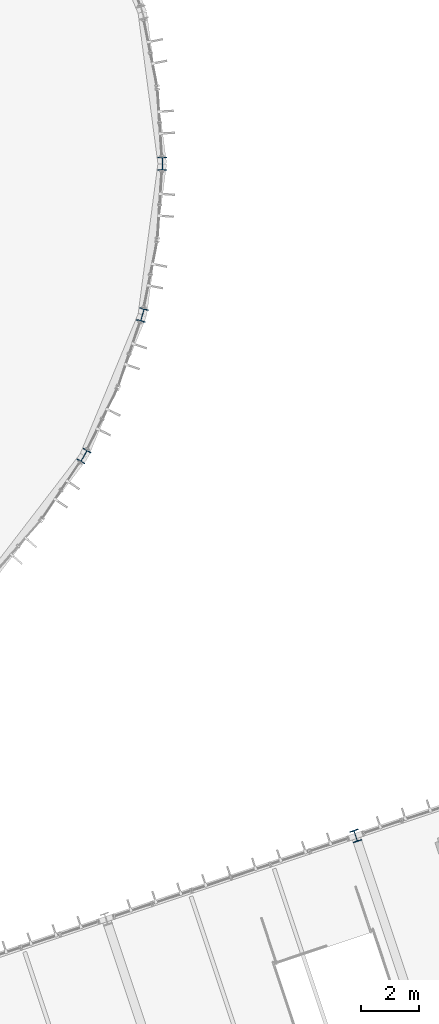
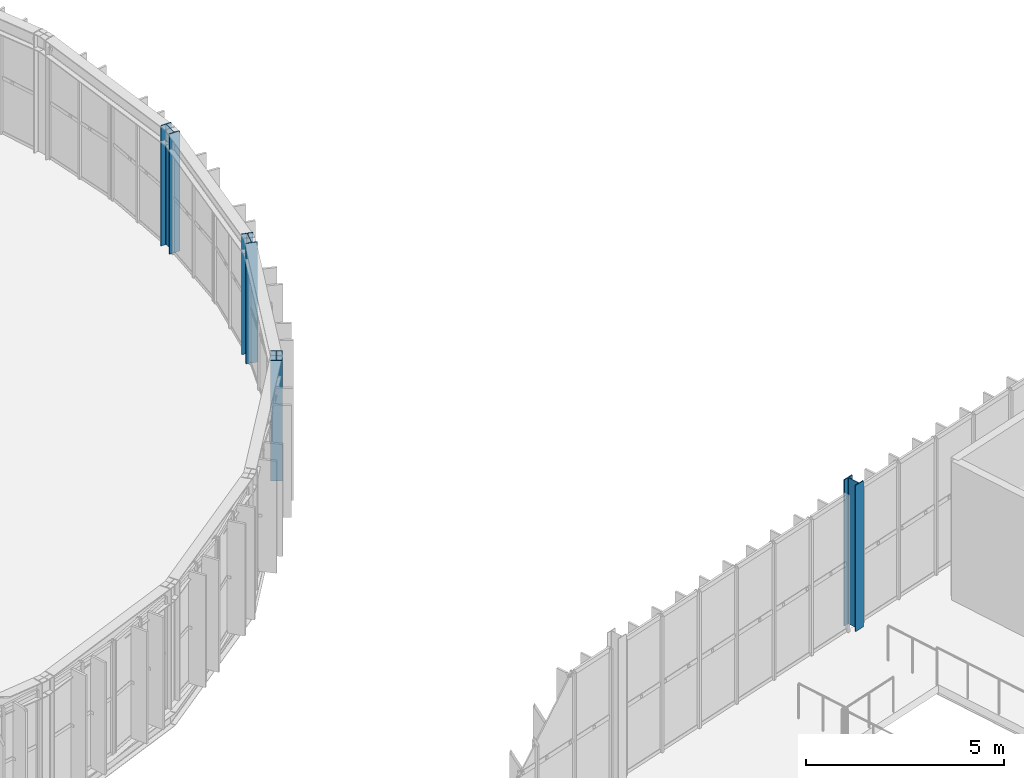
# One storey, part 5 of 152: 4 columns.
"""IFC4 building model written with IfcOpenShell, lengths in metres."""

from ifc_helpers import new_model, si_unit, derived_unit, direction, frame, origin, origin_2d, place, context, subcontext, project, spatial, i_section, extrude, material, material_profile, profile_set, type_object, element, save


model = new_model("IFC4")

# Units and contexts
model_context = context("Model", 3, precision=1e-05, world=origin(), true_north=direction((0.0, 1.0)))
body_context = subcontext(model_context, "Body", "Model", "MODEL_VIEW")
ifc_project = project(units=[si_unit("LENGTHUNIT", "METRE"), si_unit("AREAUNIT", "SQUARE_METRE"), si_unit("VOLUMEUNIT", "CUBIC_METRE"), si_unit("PLANEANGLEUNIT", "RADIAN"), si_unit("MASSUNIT", "GRAM", prefix="KILO"), si_unit("THERMODYNAMICTEMPERATUREUNIT", "KELVIN"), si_unit("TIMEUNIT", "SECOND"), derived_unit("THERMALTRANSMITTANCEUNIT", [(si_unit("MASSUNIT", "GRAM", prefix="KILO"), 1), (si_unit("THERMODYNAMICTEMPERATUREUNIT", "KELVIN"), -1), (si_unit("TIMEUNIT", "SECOND"), -3)])], contexts=[model_context])

# Site, building, storey
site_placement = place(None, origin())
site = spatial("IfcSite", under=ifc_project, at=site_placement, CompositionType="ELEMENT")
building_placement = place(site_placement, origin())
building = spatial("IfcBuilding", under=site, at=building_placement, Name="Cambertide Market Hall", CompositionType="ELEMENT")
storey_placement = place(building_placement, frame((0.0, 0.0, 5.39990234375)))
storey = spatial("IfcBuildingStorey", under=building, at=storey_placement, Name="L02", CompositionType="ELEMENT", Elevation=5.39990234375)

# Columns
ifc_material_1 = material(Name="Steel S355", Category="steel")
ifc_material_profile_1 = material_profile(ifc_material_1, i_section(OverallWidth=0.300048828125, OverallDepth=0.39990234375, WebThickness=0.013427734375, FlangeThickness=0.02392578125, FilletRadius=0.027099609375, at=origin_2d()), Name="HEB 400")
ifc_profile_set_1 = profile_set([ifc_material_profile_1], Name="Steel S355")
column_type_1 = type_object("IfcColumnType", Name="Exterior Steel Column HEB 400", PredefinedType="COLUMN", material=ifc_profile_set_1)
column_placement = place(storey_placement, frame((131.614501953125, 48.99853515625, 0.0), z_axis=(0.0, 0.0, 1.0), x_axis=(0.94868329805, 0.316227766018, 0.0)))
element("IfcColumn", 1, at=column_placement, inside=storey, type_object=column_type_1, Name="Level 2 Column COL-V3-5-4-L02", PredefinedType="COLUMN", context=body_context, shape_type="SweptSolid", body=[
    extrude(i_section(OverallWidth=0.300048828125, OverallDepth=0.39990234375, WebThickness=0.013427734375, FlangeThickness=0.02392578125, FilletRadius=0.027099609375, at=origin_2d()), origin(), (0.0, 0.0, 1.0), 4.5),
])
ifc_material_2 = material(Name="Steel S355", Category="steel")
ifc_material_profile_2 = material_profile(ifc_material_2, i_section(OverallWidth=0.300048828125, OverallDepth=0.449951171875, WebThickness=0.013916015625, FlangeThickness=0.02587890625, FilletRadius=0.027099609375, at=origin_2d()), Name="HEB 450")
ifc_profile_set_2 = profile_set([ifc_material_profile_2], Name="Steel S355")
column_type_2 = type_object("IfcColumnType", Name="Exterior Steel Column HEB 450", PredefinedType="COLUMN", material=ifc_profile_set_2)
for number, where, z_axis, x_axis, name in (
    (2, (122.320556640625, 62.0, 0.0), (0.0, 0.0, 1.0), (0.866025403784, -0.5, 0.0), "Level 2 Column COL-V1-AE08-L02"),
    (3, (124.318603515625, 66.82373046875, 0.0), (0.0, 0.0, 1.0), (0.965925826289, -0.258819045103, 0.0), "Level 2 Column COL-V1-AE10-L02"),
    (4, (125.0, 72.0, 0.0), (0.0, 0.0, 1.0), (1.0, 0.0, 0.0), "Level 2 Column COL-V1-AE12-L02"),
):
    element("IfcColumn", number, at=place(storey_placement, frame(where, z_axis=z_axis, x_axis=x_axis)), inside=storey, type_object=column_type_2, Name=name, PredefinedType="COLUMN", context=body_context, shape_type="SweptSolid", body=[
        extrude(i_section(OverallWidth=0.300048828125, OverallDepth=0.449951171875, WebThickness=0.013916015625, FlangeThickness=0.02587890625, FilletRadius=0.027099609375, at=origin_2d()), origin(), (0.0, 0.0, 1.0), 3.7001953125),
    ])

save(model, "model.ifc")
